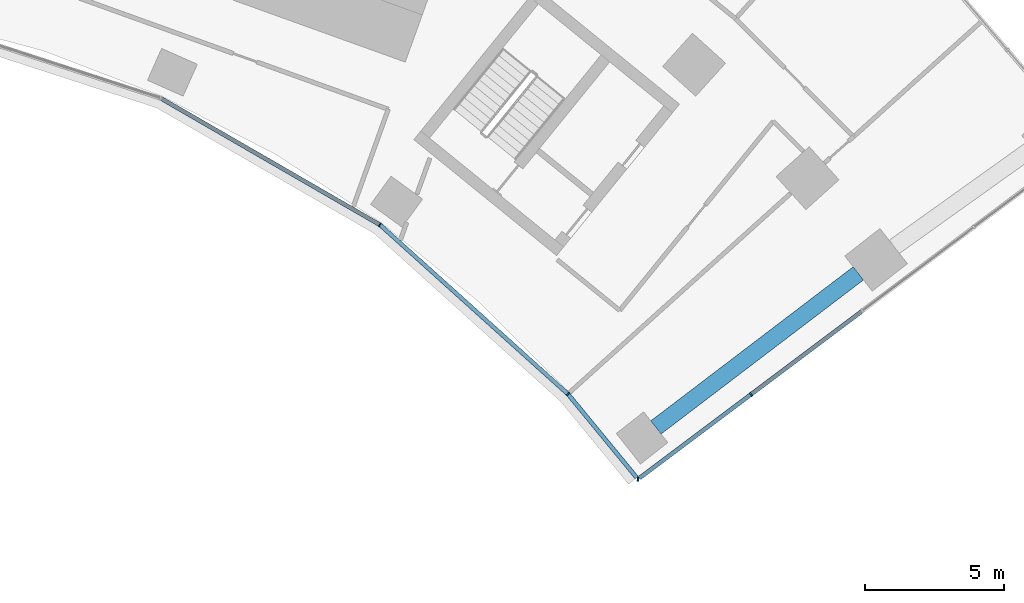
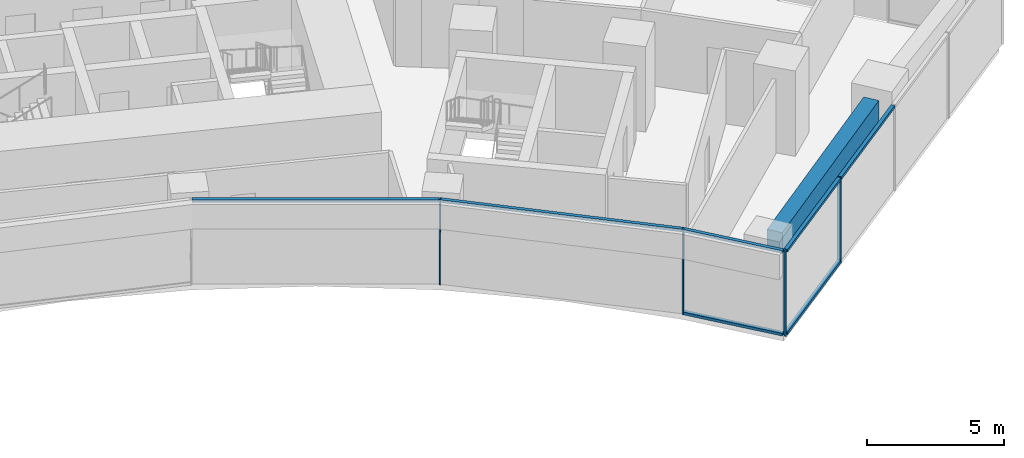
# One storey, part 9 of 24: 11 members, 1 beam, 2 elements without a shape of their own.
"""IFC4 building model written with IfcOpenShell, lengths in metres."""

from ifc_helpers import new_model, si_unit, direction, frame, origin, origin_2d, place, context, subcontext, project, spatial, rectangle, extrude, material, layer, layer_set, material_profile, profile_set, type_object, element, aggregate, save


model = new_model("IFC4")

# Units and contexts
model_context = context("Model", 3, precision=1e-05, world=origin(), true_north=direction((0.0, 1.0)))
body_context = subcontext(model_context, "Body", "Model", "MODEL_VIEW")
ifc_project = project(units=[si_unit("LENGTHUNIT", "METRE"), si_unit("AREAUNIT", "SQUARE_METRE"), si_unit("VOLUMEUNIT", "CUBIC_METRE"), si_unit("PLANEANGLEUNIT", "RADIAN"), si_unit("MASSUNIT", "GRAM", prefix="KILO")], contexts=[model_context])

# Site, building, storey
site_placement = place(None, origin())
site = spatial("IfcSite", under=ifc_project, at=site_placement, CompositionType="ELEMENT")
building_placement = place(site_placement, origin())
building = spatial("IfcBuilding", under=site, at=building_placement, Name="Stone Belt Terrace Tower", CompositionType="ELEMENT")
storey_placement = place(building_placement, frame((0.0, 0.0, 75.60009765625)))
storey = spatial("IfcBuildingStorey", under=building, at=storey_placement, Name="L18", CompositionType="ELEMENT", Elevation=75.60009765625)

# Curtain wall, members
ifc_material_1 = material(Name="Aluminium 6063-T6 anodised frame", Category="aluminium")
ifc_layer_1 = layer(ifc_material_1, 0.14990234375)
ifc_layer_set_1 = layer_set([ifc_layer_1], Name="CW-B unitised concave-face curtain wall")
curtain_wall_type_1 = type_object("IfcCurtainWallType", Name="CW-B unitised concave-face curtain wall", PredefinedType="NOTDEFINED", material=ifc_layer_set_1)
curtain_wall_1_placement = place(storey_placement, origin())
curtain_wall_1 = element("IfcCurtainWall", 1, at=curtain_wall_1_placement, inside=storey, type_object=curtain_wall_type_1, Name="CW-B concave face L18", PredefinedType="NOTDEFINED")
ifc_material_profile_1 = material_profile(ifc_material_1, rectangle(XDim=0.14990234375, YDim=0.050048828125, at=origin_2d()), Name="Aluminium 6063-T6 50x150")
ifc_profile_set_1 = profile_set([ifc_material_profile_1], Name="Aluminium 6063-T6 anodised frame")
member_type_1 = type_object("IfcMemberType", Name="CW-B mullion 50 x 150", PredefinedType="MULLION", material=ifc_profile_set_1)
member_1_placement = place(storey_placement, frame((25.5244140625, 35.13134765625, 0.0), z_axis=(0.0, 0.0, 1.0), x_axis=(0.587785252292, 0.809016994375, 0.0)))
member_1 = element("IfcMember", 2, at=member_1_placement, type_object=member_type_1, Name="CW-B mullion 9", PredefinedType="MULLION", context=body_context, shape_type="SweptSolid", body=[
    extrude(rectangle(XDim=0.14990234375, YDim=0.050048828125, at=origin_2d()), origin(), (0.0, 0.0, 1.0), 3.7998046875),
])
member_2_placement = place(storey_placement, frame((32.2724609375, 29.05517578125, 0.0), z_axis=(0.0, 0.0, 1.0), x_axis=(0.722752516957, 0.691106937624, 0.0)))
member_2 = element("IfcMember", 3, at=member_2_placement, type_object=member_type_1, Name="CW-B mullion 10", PredefinedType="MULLION", context=body_context, shape_type="SweptSolid", body=[
    extrude(rectangle(XDim=0.14990234375, YDim=0.050048828125, at=origin_2d()), origin(), (0.0, 0.0, 1.0), 3.7998046875),
])
ifc_material_profile_2 = material_profile(ifc_material_1, rectangle(XDim=0.14990234375, YDim=0.1201171875, at=origin_2d()), Name="Aluminium 6063-T6 150x120")
ifc_profile_set_2 = profile_set([ifc_material_profile_2], Name="Aluminium 6063-T6 anodised frame")
member_type_2 = type_object("IfcMemberType", Name="CW-B transom 120 x 150", PredefinedType="USERDEFINED", material=ifc_profile_set_2)
member_3_placement = place(storey_placement, frame((17.690673828125, 39.654052734375, 3.739990234375), z_axis=(0.866019133895, -0.500010859609, 0.0), x_axis=(0.500010859609, 0.866019133895, 0.0)))
member_3 = element("IfcMember", 4, at=member_3_placement, type_object=member_type_2, Name="CW-B transom 8.1", ObjectType="TRANSOM", PredefinedType="USERDEFINED", context=body_context, shape_type="SweptSolid", body=[
    extrude(rectangle(XDim=0.14990234375, YDim=0.1201171875, at=origin_2d()), origin(), (0.0, 0.0, 1.0), 9.012939453125),
])
member_4_placement = place(storey_placement, frame((25.548583984375, 35.109375, 3.739990234375), z_axis=(0.743148732601, -0.669126267033, 0.0), x_axis=(0.669126267033, 0.743148732601, 0.0)))
member_4 = element("IfcMember", 5, at=member_4_placement, type_object=member_type_2, Name="CW-B transom 9.1", ObjectType="TRANSOM", PredefinedType="USERDEFINED", context=body_context, shape_type="SweptSolid", body=[
    extrude(rectangle(XDim=0.14990234375, YDim=0.1201171875, at=origin_2d()), origin(), (0.0, 0.0, 1.0), 9.017333984375),
])
member_5_placement = place(storey_placement, frame((32.291748046875, 29.03173828125, 0.059814453125), z_axis=(0.635216972349, -0.772333734884, 0.0), x_axis=(0.772333734884, 0.635216972349, 0.0)))
member_5 = element("IfcMember", 6, at=member_5_placement, type_object=member_type_2, Name="CW-B transom 10.1", ObjectType="TRANSOM", PredefinedType="USERDEFINED", context=body_context, shape_type="SweptSolid", body=[
    extrude(rectangle(XDim=0.14990234375, YDim=0.1201171875, at=origin_2d()), origin(), (0.0, 0.0, 1.0), 3.8583984375),
])
member_6_placement = place(storey_placement, frame((32.291748046875, 29.03173828125, 3.739990234375), z_axis=(0.635216972349, -0.772333734884, 0.0), x_axis=(0.772333734884, 0.635216972349, 0.0)))
member_6 = element("IfcMember", 7, at=member_6_placement, type_object=member_type_2, Name="CW-B transom 10.2", ObjectType="TRANSOM", PredefinedType="USERDEFINED", context=body_context, shape_type="SweptSolid", body=[
    extrude(rectangle(XDim=0.14990234375, YDim=0.1201171875, at=origin_2d()), origin(), (0.0, 0.0, 1.0), 3.8583984375),
])
aggregate(curtain_wall_1, [member_1, member_2, member_3, member_4, member_5, member_6])

ifc_layer_2 = layer(ifc_material_1, 0.14990234375)
ifc_layer_set_2 = layer_set([ifc_layer_2], Name="CW-C stick curtain wall, horn ends and notches")
curtain_wall_type_2 = type_object("IfcCurtainWallType", Name="CW-C stick curtain wall, horn ends and notches", PredefinedType="NOTDEFINED", material=ifc_layer_set_2)
curtain_wall_2_placement = place(storey_placement, origin())
curtain_wall_2 = element("IfcCurtainWall", 8, at=curtain_wall_2_placement, inside=storey, type_object=curtain_wall_type_2, Name="CW-C end face L18", PredefinedType="NOTDEFINED")
ifc_material_profile_3 = material_profile(ifc_material_1, rectangle(XDim=0.14990234375, YDim=0.06005859375, at=origin_2d()), Name="Aluminium 6063-T6 60x150")
ifc_profile_set_3 = profile_set([ifc_material_profile_3], Name="Aluminium 6063-T6 anodised frame")
member_type_3 = type_object("IfcMemberType", Name="CW-C mullion 60 x 150", PredefinedType="MULLION", material=ifc_profile_set_3)
member_7_placement = place(storey_placement, frame((34.787109375, 25.997802734375, 0.0), z_axis=(0.0, 0.0, 1.0), x_axis=(0.119211709622, 0.992868857548, 0.0)))
member_7 = element("IfcMember", 9, at=member_7_placement, type_object=member_type_3, Name="CW-C mullion 1", PredefinedType="MULLION", context=body_context, shape_type="SweptSolid", body=[
    extrude(rectangle(XDim=0.14990234375, YDim=0.06005859375, at=origin_2d()), origin(), (0.0, 0.0, 1.0), 3.7998046875),
])
member_8_placement = place(storey_placement, frame((38.84423828125, 29.040771484375, 0.0), z_axis=(0.0, 0.0, 1.0), x_axis=(-0.600017992436, 0.799986505357, 0.0)))
member_8 = element("IfcMember", 10, at=member_8_placement, type_object=member_type_3, Name="CW-C mullion 2", PredefinedType="MULLION", context=body_context, shape_type="SweptSolid", body=[
    extrude(rectangle(XDim=0.14990234375, YDim=0.06005859375, at=origin_2d()), origin(), (0.0, 0.0, 1.0), 3.7998046875),
])
ifc_material_profile_4 = material_profile(ifc_material_1, rectangle(XDim=0.14990234375, YDim=0.1201171875, at=origin_2d()), Name="Aluminium 6063-T6 150x120")
ifc_profile_set_4 = profile_set([ifc_material_profile_4], Name="Aluminium 6063-T6 anodised frame")
member_type_4 = type_object("IfcMemberType", Name="CW-C transom 120 x 150", PredefinedType="USERDEFINED", material=ifc_profile_set_4)
member_9_placement = place(storey_placement, frame((34.845947265625, 26.041748046875, 0.059814453125), z_axis=(0.79995872006, 0.600055035976, 0.0), x_axis=(-0.600055035976, 0.79995872006, 0.0)))
member_9 = element("IfcMember", 11, at=member_9_placement, type_object=member_type_4, Name="CW-C transom 1.1", ObjectType="TRANSOM", PredefinedType="USERDEFINED", context=body_context, shape_type="SweptSolid", body=[
    extrude(rectangle(XDim=0.14990234375, YDim=0.1201171875, at=origin_2d()), origin(), (0.0, 0.0, 1.0), 4.96826171875),
])
member_10_placement = place(storey_placement, frame((34.845947265625, 26.041748046875, 3.739990234375), z_axis=(0.79995872006, 0.600055035976, 0.0), x_axis=(-0.600055035976, 0.79995872006, 0.0)))
member_10 = element("IfcMember", 12, at=member_10_placement, type_object=member_type_4, Name="CW-C transom 1.2", ObjectType="TRANSOM", PredefinedType="USERDEFINED", context=body_context, shape_type="SweptSolid", body=[
    extrude(rectangle(XDim=0.14990234375, YDim=0.1201171875, at=origin_2d()), origin(), (0.0, 0.0, 1.0), 4.96826171875),
])
member_11_placement = place(storey_placement, frame((38.868408203125, 29.058837890625, 3.739990234375), z_axis=(0.799982207989, 0.600023721949, 0.0), x_axis=(-0.600023721949, 0.799982207989, 0.0)))
member_11 = element("IfcMember", 13, at=member_11_placement, type_object=member_type_4, Name="CW-C transom 2.1", ObjectType="TRANSOM", PredefinedType="USERDEFINED", context=body_context, shape_type="SweptSolid", body=[
    extrude(rectangle(XDim=0.14990234375, YDim=0.1201171875, at=origin_2d()), origin(), (0.0, 0.0, 1.0), 4.93994140625),
])
aggregate(curtain_wall_2, [member_7, member_8, member_9, member_10, member_11])

# Beam
ifc_material_2 = material(Name="Concrete B60", Category="concrete")
ifc_material_profile_5 = material_profile(ifc_material_2, rectangle(XDim=0.60009765625, YDim=0.89990234375, at=origin_2d()), Name="RC 600x900")
ifc_profile_set_5 = profile_set([ifc_material_profile_5], Name="Concrete B60")
beam_type = type_object("IfcBeamType", Name="Edge beam RC 600x900 B60", PredefinedType="SPANDREL", material=ifc_profile_set_5)
beam_placement = place(storey_placement, frame((35.431396484375, 27.855224609375, 2.849853515625), z_axis=(0.795705994506, 0.605683060939, 0.0), x_axis=(-0.605683060939, 0.795705994506, 0.0)))
element("IfcBeam", 14, at=beam_placement, inside=storey, type_object=beam_type, Name="Edge beam L18 B P to Q", PredefinedType="SPANDREL", context=body_context, shape_type="SweptSolid", body=[
    extrude(rectangle(XDim=0.60009765625, YDim=0.89990234375, at=origin_2d()), origin(), (0.0, 0.0, 1.0), 9.131103515625),
])

save(model, "model.ifc")
